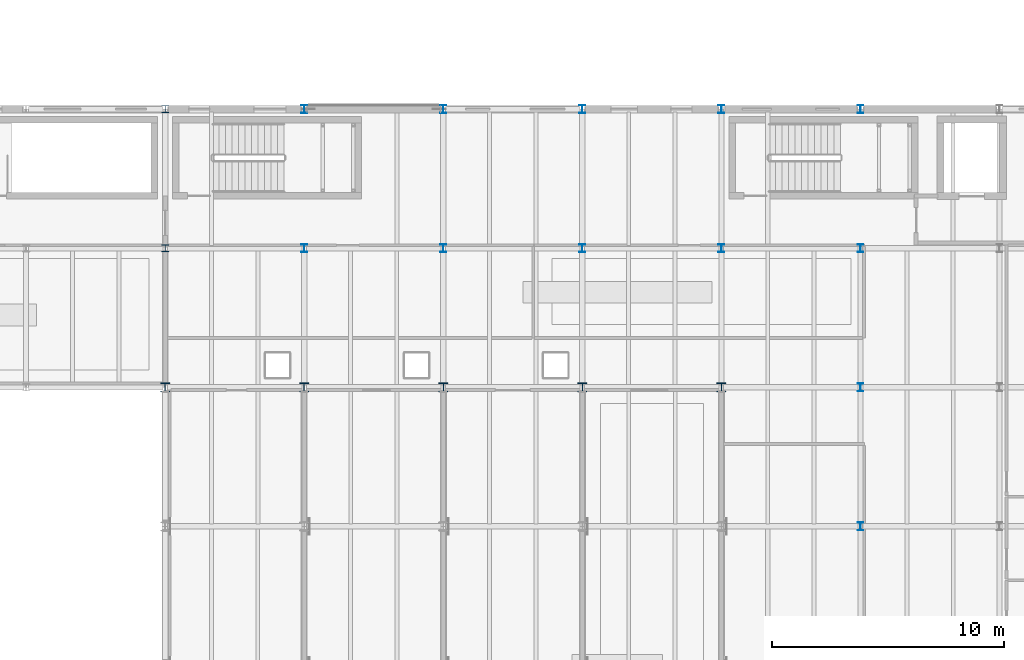
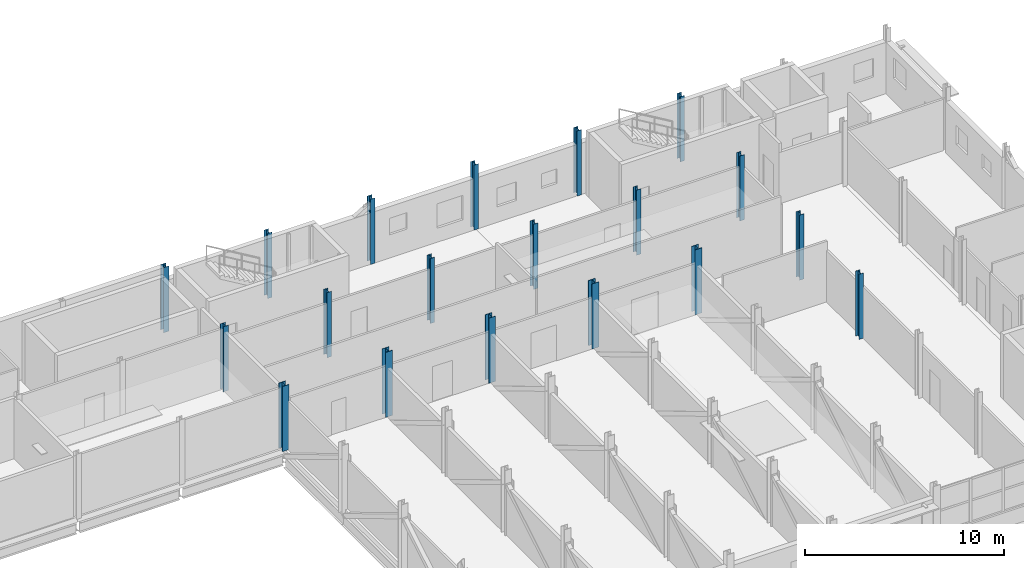
# One storey, part 8 of 92: 19 columns.
"""IFC4 building model written with IfcOpenShell, lengths in metres."""

import ifcopenshell
import ifcopenshell.guid

model = None  # the IFC model being written
_history = None  # IfcOwnerHistory: only IFC2X3 demands one
_inside = {}  # id of a spatial element -> (the spatial element, [elements in it])
_under = {}  # id of a project, library or spatial element -> (it, [spatial elements below it])
_declared = {}  # id of a project -> (the project, [libraries it declares])
_typed = {}  # id of a type object -> (the type object, [elements of that type])
_made_of = {}  # id of a material, layer set ... -> (it, [elements and type objects made of it])


def new_model(schema):
    """Start an empty IFC model of exactly this schema.

    Asked for "IFC4X3", IfcOpenShell would pick the latest addendum, in which some entities
    have other attributes; the version numbers below select the first issue.
    IFC2X3 requires an IfcOwnerHistory on every rooted entity: one is made here for all.
    """
    global model, _history
    if schema == "IFC4X3":
        model = ifcopenshell.file(schema_version=(4, 3, 0, 0))
    else:
        model = ifcopenshell.file(schema=schema)
    _inside.clear()
    _under.clear()
    _declared.clear()
    _typed.clear()
    _made_of.clear()
    _history = None
    if model.schema == "IFC2X3":
        org = make("IfcOrganization", Name="unknown")
        user = make(
            "IfcPersonAndOrganization",
            ThePerson=make("IfcPerson", FamilyName="unknown"),
            TheOrganization=org,
        )
        app = make(
            "IfcApplication",
            ApplicationDeveloper=org,
            Version="unknown",
            ApplicationFullName="unknown",
            ApplicationIdentifier="unknown",
        )
        _history = make(
            "IfcOwnerHistory",
            OwningUser=user,
            OwningApplication=app,
            ChangeAction="ADDED",
            CreationDate=0,
        )
    return model


def make(cls, **values):
    """One entity of the class cls with the attributes given. An attribute that is None is left unset."""
    return model.create_entity(
        cls, **{name: value for name, value in values.items() if value is not None}
    )


def rooted(cls, **values):
    """An entity with a GlobalId (a new one), such as an element, a storey or a relation."""
    return make(cls, GlobalId=ifcopenshell.guid.new(), OwnerHistory=_history, **values)


def si_unit(unit_type, name, prefix=None):
    """IfcSIUnit, for example si_unit("LENGTHUNIT", "METRE", prefix="MILLI")."""
    return make("IfcSIUnit", UnitType=unit_type, Prefix=prefix, Name=name)


def assignment(units):
    """IfcUnitAssignment: the units of a project."""
    return None if units is None else make("IfcUnitAssignment", Units=units)


def point(xyz):
    """IfcCartesianPoint."""
    return None if xyz is None else make("IfcCartesianPoint", Coordinates=xyz)


def direction(xyz):
    """IfcDirection."""
    return None if xyz is None else make("IfcDirection", DirectionRatios=xyz)


def frame(location, z_axis=None, x_axis=None):
    """IfcAxis2Placement3D, a coordinate frame: its origin and axes. An axis left out is left unset."""
    return make(
        "IfcAxis2Placement3D",
        Location=point(location),
        Axis=direction(z_axis),
        RefDirection=direction(x_axis),
    )


def frame_2d(location, x_axis=None):
    """IfcAxis2Placement2D, a coordinate frame in the plane: its origin and x axis."""
    return make(
        "IfcAxis2Placement2D", Location=point(location), RefDirection=direction(x_axis)
    )


def origin():
    """The frame at (0, 0, 0) with its axes left unset."""
    return frame((0.0, 0.0, 0.0))


def origin_2d():
    """The frame at (0, 0) in the plane with its x axis left unset."""
    return frame_2d((0.0, 0.0))


def place(relative_to, where):
    """IfcLocalPlacement: puts the frame where relative to a parent placement (None: the world)."""
    return make(
        "IfcLocalPlacement", PlacementRelTo=relative_to, RelativePlacement=where
    )


def context(
    kind, dimensions, precision=None, world=None, true_north=None, identifier=None
):
    """IfcGeometricRepresentationContext, for example the 3D "Model" context."""
    return make(
        "IfcGeometricRepresentationContext",
        ContextIdentifier=identifier,
        ContextType=kind,
        CoordinateSpaceDimension=dimensions,
        Precision=precision,
        WorldCoordinateSystem=world,
        TrueNorth=true_north,
    )


def subcontext(parent, identifier, kind, view, scale=None):
    """IfcGeometricRepresentationSubContext, for example "Body" below "Model"."""
    return make(
        "IfcGeometricRepresentationSubContext",
        ContextIdentifier=identifier,
        ContextType=kind,
        ParentContext=parent,
        TargetScale=scale,
        TargetView=view,
    )


def project(units=None, contexts=None):
    """IfcProject with its units and contexts."""
    return rooted(
        "IfcProject",
        Name="project",
        RepresentationContexts=contexts,
        UnitsInContext=assignment(units),
    )


def spatial(cls, under=None, at=None, **own):
    """A site, building, storey or space (cls), placed at a placement, below another one or the project."""
    s = rooted(cls, ObjectPlacement=at, **own)
    if under is not None:
        _under.setdefault(under.id(), (under, []))[1].append(s)
    return s


def profile(cls, at=None, kind="AREA", **sizes):
    """A parametric profile (cls). Its sizes go by their IFC names, for example OverallWidth=200.0."""
    return make(cls, ProfileType=kind, Position=at, **sizes)


def i_section(**sizes):
    """IfcIShapeProfileDef."""
    return profile("IfcIShapeProfileDef", **sizes)


def extrude(swept, where, along, depth):
    """IfcExtrudedAreaSolid: the profile swept, set in the frame where, extruded along a direction by depth."""
    return make(
        "IfcExtrudedAreaSolid",
        SweptArea=swept,
        Position=where,
        ExtrudedDirection=direction(along),
        Depth=depth,
    )


def shape(context_of_items, identifier, shape_type, items):
    """IfcShapeRepresentation: the items that make up one representation, for example the "Body"."""
    return make(
        "IfcShapeRepresentation",
        ContextOfItems=context_of_items,
        RepresentationIdentifier=identifier,
        RepresentationType=shape_type,
        Items=items,
    )


def material(Name=None, Category=None):
    """IfcMaterial."""
    return make("IfcMaterial", Name=Name, Category=Category)


def material_profile(
    of_material, cross_section, Name=None, Category=None, Priority=None
):
    """IfcMaterialProfile: a cross section and its material."""
    return make(
        "IfcMaterialProfile",
        Name=Name,
        Material=of_material,
        Profile=cross_section,
        Priority=Priority,
        Category=Category,
    )


def profile_set(profiles, Name=None, composite=None):
    """IfcMaterialProfileSet."""
    return make(
        "IfcMaterialProfileSet",
        Name=Name,
        MaterialProfiles=profiles,
        CompositeProfile=composite,
    )


def made_of(thing, what):
    """Note that an element or type object is made of a material, layer set ...; save() writes the relation."""
    if what is not None:
        _made_of.setdefault(what.id(), (what, []))[1].append(thing)
    return thing


def type_object(cls, material=None, **own):
    """A type object (cls), such as IfcWallType, which elements share."""
    return made_of(rooted(cls, **own), material)


def element(
    cls,
    number,
    at=None,
    inside=None,
    cuts=None,
    type_object=None,
    material=None,
    context=None,
    identifier="Body",
    shape_type=None,
    held_by="IfcProductDefinitionShape",
    body=None,
    shapes=None,
    **own,
):
    """One element of the class cls, such as IfcWall. Its Tag is "e" and its number.

    at: its placement. inside: the storey or other place that contains it. cuts: it is an
    opening in that element (IfcRelVoidsElement). A single representation is given by context,
    identifier, shape_type and body (its items); several are given by shapes. held_by: the class
    of the entity that holds the representations. save() writes the other relations.
    """
    e = rooted(cls, Tag="e%d" % number, ObjectPlacement=at, **own)
    if body is not None:
        shapes = [shape(context, identifier, shape_type, body)]
    if shapes is not None:
        e.Representation = make(held_by, Representations=shapes)
    if inside is not None:
        _inside.setdefault(inside.id(), (inside, []))[1].append(e)
    if cuts is not None:
        rooted(
            "IfcRelVoidsElement", RelatingBuildingElement=cuts, RelatedOpeningElement=e
        )
    if type_object is not None:
        _typed.setdefault(type_object.id(), (type_object, []))[1].append(e)
    return made_of(e, material)


def aggregate(whole, parts):
    """IfcRelAggregates: a whole, such as a stair, and the parts it consists of."""
    return rooted("IfcRelAggregates", RelatingObject=whole, RelatedObjects=parts)


def save(model, path):
    """Write the relations noted so far, then the file.

    IfcRelAggregates (storeys below a building ...), IfcRelContainedInSpatialStructure (elements
    in a storey), IfcRelDefinesByType, IfcRelAssociatesMaterial and IfcRelDeclares: one each for
    every whole, place, type object, material and project.
    """
    for whole, parts in _under.values():
        aggregate(whole, parts)
    for where, things in _inside.values():
        rooted(
            "IfcRelContainedInSpatialStructure",
            RelatedElements=things,
            RelatingStructure=where,
        )
    for kind, things in _typed.values():
        rooted("IfcRelDefinesByType", RelatedObjects=things, RelatingType=kind)
    for what, things in _made_of.values():
        rooted("IfcRelAssociatesMaterial", RelatedObjects=things, RelatingMaterial=what)
    for by, libraries in _declared.values():
        rooted("IfcRelDeclares", RelatingContext=by, RelatedDefinitions=libraries)
    model.write(path)


model = new_model("IFC4")

# Units and contexts
model_context = context("Model", 3, precision=1e-05, world=origin(), true_north=direction((0.0, 1.0)))
body_context = subcontext(model_context, "Body", "Model", "MODEL_VIEW")
ifc_project = project(units=[si_unit("LENGTHUNIT", "METRE"), si_unit("AREAUNIT", "SQUARE_METRE"), si_unit("VOLUMEUNIT", "CUBIC_METRE"), si_unit("PLANEANGLEUNIT", "RADIAN"), si_unit("MASSUNIT", "GRAM", prefix="KILO")], contexts=[model_context])

# Site, building, storey
site_placement = place(None, origin())
site = spatial("IfcSite", under=ifc_project, at=site_placement, CompositionType="ELEMENT")
building_placement = place(site_placement, origin())
building = spatial("IfcBuilding", under=site, at=building_placement, Name="Siltcreek Boulevard Central Fire Station", CompositionType="ELEMENT")
storey_placement = place(building_placement, frame((0.0, 0.0, 6.0)))
storey = spatial("IfcBuildingStorey", under=building, at=storey_placement, Name="L02", CompositionType="ELEMENT", Elevation=6.0)

# Columns
ifc_material = material(Name="Structural steel ASTM A992 Gr50", Category="steel")
ifc_material_profile_1 = material_profile(ifc_material, i_section(OverallWidth=0.306884765625, OverallDepth=0.31396484375, WebThickness=0.010986328125, FlangeThickness=0.018798828125, at=origin_2d()), Name="W310X118")
ifc_profile_set_1 = profile_set([ifc_material_profile_1], Name="Structural steel ASTM A992 Gr50")
column_type_1 = type_object("IfcColumnType", Name="COL_W310X118", PredefinedType="COLUMN", material=ifc_profile_set_1)
for number, where, z_axis, x_axis, name in (
    (1, (66.0, 48.0, 0.0), (0.0, 0.0, 1.0), (1.0, 0.0, 0.0), "L02 structural column COLG-L02-660-480"),
    (2, (66.0, 54.0, 0.0), (0.0, 0.0, 1.0), (1.0, 0.0, 0.0), "L02 structural column COLG-L02-660-540"),
):
    element("IfcColumn", number, at=place(storey_placement, frame(where, z_axis=z_axis, x_axis=x_axis)), inside=storey, type_object=column_type_1, Name=name, PredefinedType="COLUMN", context=body_context, shape_type="SweptSolid", body=[
        extrude(i_section(OverallWidth=0.306884765625, OverallDepth=0.31396484375, WebThickness=0.010986328125, FlangeThickness=0.018798828125, at=origin_2d()), origin(), (0.0, 0.0, 1.0), 4.0),
    ])
ifc_material_profile_2 = material_profile(ifc_material, i_section(OverallWidth=0.39501953125, OverallDepth=0.3798828125, WebThickness=0.018798828125, FlangeThickness=0.0302734375, at=origin_2d()), Name="W360X237")
ifc_profile_set_2 = profile_set([ifc_material_profile_2], Name="Structural steel ASTM A992 Gr50")
column_type_2 = type_object("IfcColumnType", Name="COL_W360X237", PredefinedType="COLUMN", material=ifc_profile_set_2)
for number, where, z_axis, x_axis, name in (
    (3, (66.0, 42.0, 0.0), (0.0, 0.0, 1.0), (1.0, 0.0, 0.0), "L02 structural column COLG-L02-660-420"),
    (4, (72.0, 42.0, 0.0), (0.0, 0.0, 1.0), (1.0, 0.0, 0.0), "L02 structural column COLG-L02-720-420"),
    (5, (78.0, 42.0, 0.0), (0.0, 0.0, 1.0), (1.0, 0.0, 0.0), "L02 structural column COLG-L02-780-420"),
    (6, (84.0, 42.0, 0.0), (0.0, 0.0, 1.0), (1.0, 0.0, 0.0), "L02 structural column COLG-L02-840-420"),
    (7, (90.0, 42.0, 0.0), (0.0, 0.0, 1.0), (1.0, 0.0, 0.0), "L02 structural column COLG-L02-900-420"),
):
    element("IfcColumn", number, at=place(storey_placement, frame(where, z_axis=z_axis, x_axis=x_axis)), inside=storey, type_object=column_type_2, Name=name, PredefinedType="COLUMN", context=body_context, shape_type="SweptSolid", body=[
        extrude(i_section(OverallWidth=0.39501953125, OverallDepth=0.3798828125, WebThickness=0.018798828125, FlangeThickness=0.0302734375, at=origin_2d()), origin(), (0.0, 0.0, 1.0), 4.0),
    ])
ifc_material_profile_3 = material_profile(ifc_material, i_section(OverallWidth=0.25390625, OverallDepth=0.35302734375, WebThickness=0.009521484375, FlangeThickness=0.016357421875, at=origin_2d()), Name="W360X91")
ifc_profile_set_3 = profile_set([ifc_material_profile_3], Name="Structural steel ASTM A992 Gr50")
column_type_3 = type_object("IfcColumnType", Name="COL_W360X91", PredefinedType="COLUMN", material=ifc_profile_set_3)
for number, where, z_axis, x_axis, name in (
    (8, (72.0, 48.0, 0.0), (0.0, 0.0, 1.0), (1.0, 0.0, 0.0), "L02 structural column COLG-L02-720-480"),
    (9, (72.0, 54.0, 0.0), (0.0, 0.0, 1.0), (1.0, 0.0, 0.0), "L02 structural column COLG-L02-720-540"),
    (10, (78.0, 48.0, 0.0), (0.0, 0.0, 1.0), (1.0, 0.0, 0.0), "L02 structural column COLG-L02-780-480"),
    (11, (78.0, 54.0, 0.0), (0.0, 0.0, 1.0), (1.0, 0.0, 0.0), "L02 structural column COLG-L02-780-540"),
    (12, (84.0, 48.0, 0.0), (0.0, 0.0, 1.0), (1.0, 0.0, 0.0), "L02 structural column COLG-L02-840-480"),
    (13, (84.0, 54.0, 0.0), (0.0, 0.0, 1.0), (1.0, 0.0, 0.0), "L02 structural column COLG-L02-840-540"),
    (14, (90.0, 48.0, 0.0), (0.0, 0.0, 1.0), (1.0, 0.0, 0.0), "L02 structural column COLG-L02-900-480"),
    (15, (90.0, 54.0, 0.0), (0.0, 0.0, 1.0), (1.0, 0.0, 0.0), "L02 structural column COLG-L02-900-540"),
    (16, (96.0, 36.0, 0.0), (0.0, 0.0, 1.0), (1.0, 0.0, 0.0), "L02 structural column COLG-L02-960-360"),
    (17, (96.0, 42.0, 0.0), (0.0, 0.0, 1.0), (1.0, 0.0, 0.0), "L02 structural column COLG-L02-960-420"),
    (18, (96.0, 48.0, 0.0), (0.0, 0.0, 1.0), (1.0, 0.0, 0.0), "L02 structural column COLG-L02-960-480"),
    (19, (96.0, 54.0, 0.0), (0.0, 0.0, 1.0), (1.0, 0.0, 0.0), "L02 structural column COLG-L02-960-540"),
):
    element("IfcColumn", number, at=place(storey_placement, frame(where, z_axis=z_axis, x_axis=x_axis)), inside=storey, type_object=column_type_3, Name=name, PredefinedType="COLUMN", context=body_context, shape_type="SweptSolid", body=[
        extrude(i_section(OverallWidth=0.25390625, OverallDepth=0.35302734375, WebThickness=0.009521484375, FlangeThickness=0.016357421875, at=origin_2d()), origin(), (0.0, 0.0, 1.0), 4.0),
    ])

save(model, "model.ifc")
